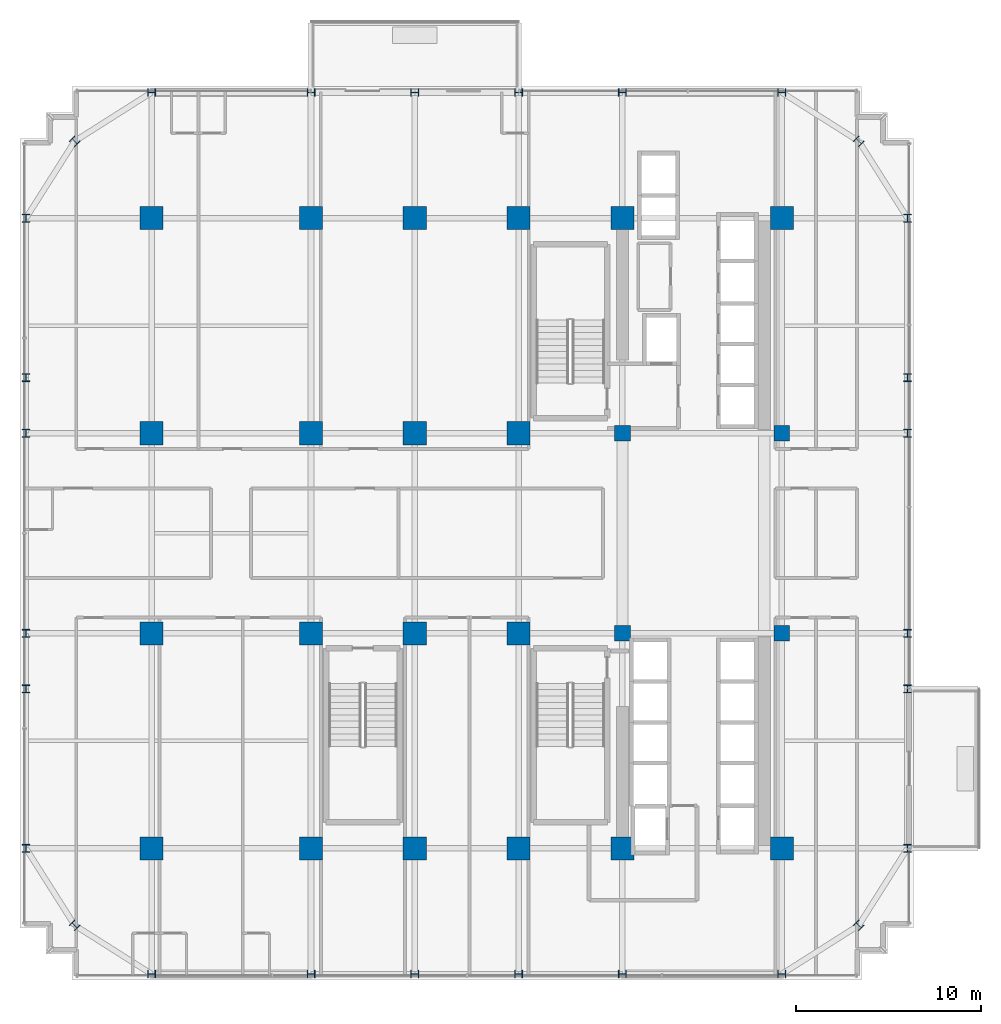
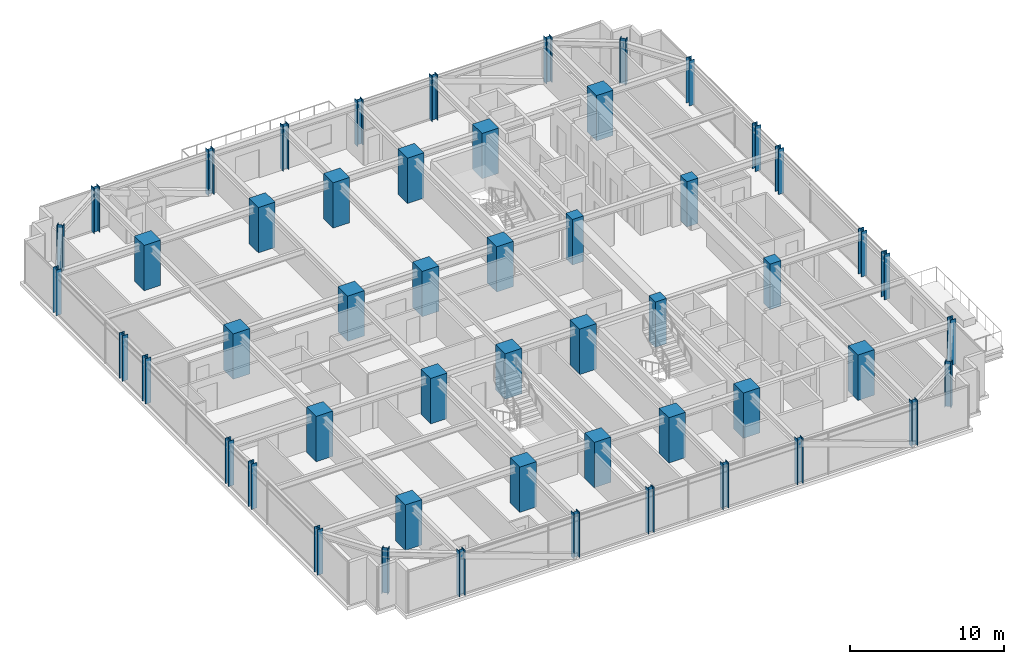
# One storey, part 1 of 41: 52 columns.
"""IFC4 building model written with IfcOpenShell, lengths in metres."""

import ifcopenshell
import ifcopenshell.guid

model = None  # the IFC model being written
_history = None  # IfcOwnerHistory: only IFC2X3 demands one
_inside = {}  # id of a spatial element -> (the spatial element, [elements in it])
_under = {}  # id of a project, library or spatial element -> (it, [spatial elements below it])
_declared = {}  # id of a project -> (the project, [libraries it declares])
_typed = {}  # id of a type object -> (the type object, [elements of that type])
_made_of = {}  # id of a material, layer set ... -> (it, [elements and type objects made of it])


def new_model(schema):
    """Start an empty IFC model of exactly this schema.

    Asked for "IFC4X3", IfcOpenShell would pick the latest addendum, in which some entities
    have other attributes; the version numbers below select the first issue.
    IFC2X3 requires an IfcOwnerHistory on every rooted entity: one is made here for all.
    """
    global model, _history
    if schema == "IFC4X3":
        model = ifcopenshell.file(schema_version=(4, 3, 0, 0))
    else:
        model = ifcopenshell.file(schema=schema)
    _inside.clear()
    _under.clear()
    _declared.clear()
    _typed.clear()
    _made_of.clear()
    _history = None
    if model.schema == "IFC2X3":
        org = make("IfcOrganization", Name="unknown")
        user = make(
            "IfcPersonAndOrganization",
            ThePerson=make("IfcPerson", FamilyName="unknown"),
            TheOrganization=org,
        )
        app = make(
            "IfcApplication",
            ApplicationDeveloper=org,
            Version="unknown",
            ApplicationFullName="unknown",
            ApplicationIdentifier="unknown",
        )
        _history = make(
            "IfcOwnerHistory",
            OwningUser=user,
            OwningApplication=app,
            ChangeAction="ADDED",
            CreationDate=0,
        )
    return model


def make(cls, **values):
    """One entity of the class cls with the attributes given. An attribute that is None is left unset."""
    return model.create_entity(
        cls, **{name: value for name, value in values.items() if value is not None}
    )


def rooted(cls, **values):
    """An entity with a GlobalId (a new one), such as an element, a storey or a relation."""
    return make(cls, GlobalId=ifcopenshell.guid.new(), OwnerHistory=_history, **values)


def si_unit(unit_type, name, prefix=None):
    """IfcSIUnit, for example si_unit("LENGTHUNIT", "METRE", prefix="MILLI")."""
    return make("IfcSIUnit", UnitType=unit_type, Prefix=prefix, Name=name)


def assignment(units):
    """IfcUnitAssignment: the units of a project."""
    return None if units is None else make("IfcUnitAssignment", Units=units)


def point(xyz):
    """IfcCartesianPoint."""
    return None if xyz is None else make("IfcCartesianPoint", Coordinates=xyz)


def direction(xyz):
    """IfcDirection."""
    return None if xyz is None else make("IfcDirection", DirectionRatios=xyz)


def frame(location, z_axis=None, x_axis=None):
    """IfcAxis2Placement3D, a coordinate frame: its origin and axes. An axis left out is left unset."""
    return make(
        "IfcAxis2Placement3D",
        Location=point(location),
        Axis=direction(z_axis),
        RefDirection=direction(x_axis),
    )


def frame_2d(location, x_axis=None):
    """IfcAxis2Placement2D, a coordinate frame in the plane: its origin and x axis."""
    return make(
        "IfcAxis2Placement2D", Location=point(location), RefDirection=direction(x_axis)
    )


def origin():
    """The frame at (0, 0, 0) with its axes left unset."""
    return frame((0.0, 0.0, 0.0))


def origin_2d():
    """The frame at (0, 0) in the plane with its x axis left unset."""
    return frame_2d((0.0, 0.0))


def place(relative_to, where):
    """IfcLocalPlacement: puts the frame where relative to a parent placement (None: the world)."""
    return make(
        "IfcLocalPlacement", PlacementRelTo=relative_to, RelativePlacement=where
    )


def context(
    kind, dimensions, precision=None, world=None, true_north=None, identifier=None
):
    """IfcGeometricRepresentationContext, for example the 3D "Model" context."""
    return make(
        "IfcGeometricRepresentationContext",
        ContextIdentifier=identifier,
        ContextType=kind,
        CoordinateSpaceDimension=dimensions,
        Precision=precision,
        WorldCoordinateSystem=world,
        TrueNorth=true_north,
    )


def subcontext(parent, identifier, kind, view, scale=None):
    """IfcGeometricRepresentationSubContext, for example "Body" below "Model"."""
    return make(
        "IfcGeometricRepresentationSubContext",
        ContextIdentifier=identifier,
        ContextType=kind,
        ParentContext=parent,
        TargetScale=scale,
        TargetView=view,
    )


def project(units=None, contexts=None):
    """IfcProject with its units and contexts."""
    return rooted(
        "IfcProject",
        Name="project",
        RepresentationContexts=contexts,
        UnitsInContext=assignment(units),
    )


def spatial(cls, under=None, at=None, **own):
    """A site, building, storey or space (cls), placed at a placement, below another one or the project."""
    s = rooted(cls, ObjectPlacement=at, **own)
    if under is not None:
        _under.setdefault(under.id(), (under, []))[1].append(s)
    return s


def profile(cls, at=None, kind="AREA", **sizes):
    """A parametric profile (cls). Its sizes go by their IFC names, for example OverallWidth=200.0."""
    return make(cls, ProfileType=kind, Position=at, **sizes)


def rectangle(**sizes):
    """IfcRectangleProfileDef."""
    return profile("IfcRectangleProfileDef", **sizes)


def i_section(**sizes):
    """IfcIShapeProfileDef."""
    return profile("IfcIShapeProfileDef", **sizes)


def extrude(swept, where, along, depth):
    """IfcExtrudedAreaSolid: the profile swept, set in the frame where, extruded along a direction by depth."""
    return make(
        "IfcExtrudedAreaSolid",
        SweptArea=swept,
        Position=where,
        ExtrudedDirection=direction(along),
        Depth=depth,
    )


def shape(context_of_items, identifier, shape_type, items):
    """IfcShapeRepresentation: the items that make up one representation, for example the "Body"."""
    return make(
        "IfcShapeRepresentation",
        ContextOfItems=context_of_items,
        RepresentationIdentifier=identifier,
        RepresentationType=shape_type,
        Items=items,
    )


def source(mapping_origin, context_of_items, identifier, shape_type, items):
    """IfcRepresentationMap: a shape defined once, which mapped items show again and again."""
    return make(
        "IfcRepresentationMap",
        MappingOrigin=mapping_origin,
        MappedRepresentation=shape(context_of_items, identifier, shape_type, items),
    )


def transform(
    local_origin,
    x_axis=None,
    y_axis=None,
    z_axis=None,
    scale=None,
    scale2=None,
    scale3=None,
    uniform=True,
):
    """IfcCartesianTransformationOperator3D, or its non-uniform kind. x_axis, y_axis, z_axis: its Axis1, 2, 3."""
    if uniform:
        return make(
            "IfcCartesianTransformationOperator3D",
            Axis1=direction(x_axis),
            Axis2=direction(y_axis),
            LocalOrigin=point(local_origin),
            Scale=scale,
            Axis3=direction(z_axis),
        )
    return make(
        "IfcCartesianTransformationOperator3DnonUniform",
        Axis1=direction(x_axis),
        Axis2=direction(y_axis),
        LocalOrigin=point(local_origin),
        Scale=scale,
        Axis3=direction(z_axis),
        Scale2=scale2,
        Scale3=scale3,
    )


def mapped(mapping_source, mapping_target):
    """IfcMappedItem: shows the shape of a source again, moved by a transform."""
    return make(
        "IfcMappedItem", MappingSource=mapping_source, MappingTarget=mapping_target
    )


def material(Name=None, Category=None):
    """IfcMaterial."""
    return make("IfcMaterial", Name=Name, Category=Category)


def material_profile(
    of_material, cross_section, Name=None, Category=None, Priority=None
):
    """IfcMaterialProfile: a cross section and its material."""
    return make(
        "IfcMaterialProfile",
        Name=Name,
        Material=of_material,
        Profile=cross_section,
        Priority=Priority,
        Category=Category,
    )


def profile_set(profiles, Name=None, composite=None):
    """IfcMaterialProfileSet."""
    return make(
        "IfcMaterialProfileSet",
        Name=Name,
        MaterialProfiles=profiles,
        CompositeProfile=composite,
    )


def made_of(thing, what):
    """Note that an element or type object is made of a material, layer set ...; save() writes the relation."""
    if what is not None:
        _made_of.setdefault(what.id(), (what, []))[1].append(thing)
    return thing


def type_object(cls, material=None, **own):
    """A type object (cls), such as IfcWallType, which elements share."""
    return made_of(rooted(cls, **own), material)


def element(
    cls,
    number,
    at=None,
    inside=None,
    cuts=None,
    type_object=None,
    material=None,
    context=None,
    identifier="Body",
    shape_type=None,
    held_by="IfcProductDefinitionShape",
    body=None,
    shapes=None,
    **own,
):
    """One element of the class cls, such as IfcWall. Its Tag is "e" and its number.

    at: its placement. inside: the storey or other place that contains it. cuts: it is an
    opening in that element (IfcRelVoidsElement). A single representation is given by context,
    identifier, shape_type and body (its items); several are given by shapes. held_by: the class
    of the entity that holds the representations. save() writes the other relations.
    """
    e = rooted(cls, Tag="e%d" % number, ObjectPlacement=at, **own)
    if body is not None:
        shapes = [shape(context, identifier, shape_type, body)]
    if shapes is not None:
        e.Representation = make(held_by, Representations=shapes)
    if inside is not None:
        _inside.setdefault(inside.id(), (inside, []))[1].append(e)
    if cuts is not None:
        rooted(
            "IfcRelVoidsElement", RelatingBuildingElement=cuts, RelatedOpeningElement=e
        )
    if type_object is not None:
        _typed.setdefault(type_object.id(), (type_object, []))[1].append(e)
    return made_of(e, material)


def aggregate(whole, parts):
    """IfcRelAggregates: a whole, such as a stair, and the parts it consists of."""
    return rooted("IfcRelAggregates", RelatingObject=whole, RelatedObjects=parts)


def save(model, path):
    """Write the relations noted so far, then the file.

    IfcRelAggregates (storeys below a building ...), IfcRelContainedInSpatialStructure (elements
    in a storey), IfcRelDefinesByType, IfcRelAssociatesMaterial and IfcRelDeclares: one each for
    every whole, place, type object, material and project.
    """
    for whole, parts in _under.values():
        aggregate(whole, parts)
    for where, things in _inside.values():
        rooted(
            "IfcRelContainedInSpatialStructure",
            RelatedElements=things,
            RelatingStructure=where,
        )
    for kind, things in _typed.values():
        rooted("IfcRelDefinesByType", RelatedObjects=things, RelatingType=kind)
    for what, things in _made_of.values():
        rooted("IfcRelAssociatesMaterial", RelatedObjects=things, RelatingMaterial=what)
    for by, libraries in _declared.values():
        rooted("IfcRelDeclares", RelatingContext=by, RelatedDefinitions=libraries)
    model.write(path)


model = new_model("IFC4")

# Units and contexts
model_context = context("Model", 3, precision=1e-05, world=origin(), true_north=direction((0.0, 1.0)))
body_context = subcontext(model_context, "Body", "Model", "MODEL_VIEW")
ifc_project = project(units=[si_unit("LENGTHUNIT", "METRE"), si_unit("AREAUNIT", "SQUARE_METRE"), si_unit("VOLUMEUNIT", "CUBIC_METRE"), si_unit("PLANEANGLEUNIT", "RADIAN"), si_unit("MASSUNIT", "GRAM", prefix="KILO")], contexts=[model_context])

# Site, building, storey
site_placement = place(None, origin())
site = spatial("IfcSite", under=ifc_project, at=site_placement, CompositionType="ELEMENT")
building_placement = place(site_placement, origin())
building = spatial("IfcBuilding", under=site, at=building_placement, Name="Nahalor Promenade Grand Hotel", CompositionType="ELEMENT")
storey_placement = place(building_placement, frame((0.0, 0.0, 113.85009765625)))
storey = spatial("IfcBuildingStorey", under=building, at=storey_placement, Name="L28", CompositionType="ELEMENT", Elevation=113.85009765625)

# Columns
ifc_material_1 = material(Name="Concrete B-70 (C60/75)", Category="concrete")
ifc_material_profile_1 = material_profile(ifc_material_1, rectangle(XDim=0.85, YDim=0.85, at=origin_2d()), Name="RC 850x850")
ifc_profile_set_1 = profile_set([ifc_material_profile_1], Name="Concrete B-70 (C60/75)")
column_type_1 = type_object("IfcColumnType", Name="Col-Pilaster-850", PredefinedType="PILASTER", material=ifc_profile_set_1)
shared_shape_1 = source(origin(), body_context, "Body", "SweptSolid", [
    extrude(rectangle(XDim=0.85, YDim=0.85, at=origin_2d()), origin(), (0.0, 0.0, 1.0), 3.60498046875),
])
for number, where, z_axis, x_axis, name in (
    (1, (8.39990234375, -5.39990234375, 0.0), (0.0, 0.0, 1.0), (1.0, 0.0, 0.0), "COL-L28-I41"),
    (2, (8.39990234375, 5.39990234375, 0.0), (0.0, 0.0, 1.0), (1.0, 0.0, 0.0), "COL-L28-I42"),
    (3, (17.0, -5.39990234375, 0.0), (0.0, 0.0, 1.0), (1.0, 0.0, 0.0), "COL-L28-I51"),
    (4, (17.0, 5.39990234375, 0.0), (0.0, 0.0, 1.0), (1.0, 0.0, 0.0), "COL-L28-I52"),
):
    element("IfcColumn", number, at=place(storey_placement, frame(where, z_axis=z_axis, x_axis=x_axis)), inside=storey, type_object=column_type_1, Name=name, PredefinedType="PILASTER", context=body_context, shape_type="MappedRepresentation", body=[
        mapped(shared_shape_1, transform((0.0, 0.0, 0.0), scale=1.0)),
    ])
ifc_material_2 = material(Name="Concrete B-60 (C50/60)", Category="concrete")
ifc_material_profile_2 = material_profile(ifc_material_2, rectangle(XDim=1.25, YDim=1.25, at=origin_2d()), Name="RC 1250x1250")
ifc_profile_set_2 = profile_set([ifc_material_profile_2], Name="Concrete B-60 (C50/60)")
column_type_2 = type_object("IfcColumnType", Name="Col-RC-1250", PredefinedType="COLUMN", material=ifc_profile_set_2)
shared_shape_2 = source(origin(), body_context, "Body", "SweptSolid", [
    extrude(rectangle(XDim=1.25, YDim=1.25, at=origin_2d()), origin(), (0.0, 0.0, 1.0), 3.60498046875),
])
for number, where, z_axis, x_axis, name in (
    (5, (-17.0, -17.0, 0.0), (0.0, 0.0, 1.0), (1.0, 0.0, 0.0), "COL-L28-I00"),
    (6, (-17.0, -5.39990234375, 0.0), (0.0, 0.0, 1.0), (1.0, 0.0, 0.0), "COL-L28-I01"),
    (7, (-17.0, 5.39990234375, 0.0), (0.0, 0.0, 1.0), (1.0, 0.0, 0.0), "COL-L28-I02"),
    (8, (-17.0, 17.0, 0.0), (0.0, 0.0, 1.0), (1.0, 0.0, 0.0), "COL-L28-I03"),
    (9, (-8.39990234375, -17.0, 0.0), (0.0, 0.0, 1.0), (1.0, 0.0, 0.0), "COL-L28-I10"),
    (10, (-8.39990234375, -5.39990234375, 0.0), (0.0, 0.0, 1.0), (1.0, 0.0, 0.0), "COL-L28-I11"),
    (11, (-8.39990234375, 5.39990234375, 0.0), (0.0, 0.0, 1.0), (1.0, 0.0, 0.0), "COL-L28-I12"),
    (12, (-8.39990234375, 17.0, 0.0), (0.0, 0.0, 1.0), (1.0, 0.0, 0.0), "COL-L28-I13"),
    (13, (-2.800048828125, -17.0, 0.0), (0.0, 0.0, 1.0), (1.0, 0.0, 0.0), "COL-L28-I20"),
    (14, (-2.800048828125, -5.39990234375, 0.0), (0.0, 0.0, 1.0), (1.0, 0.0, 0.0), "COL-L28-I21"),
    (15, (-2.800048828125, 5.39990234375, 0.0), (0.0, 0.0, 1.0), (1.0, 0.0, 0.0), "COL-L28-I22"),
    (16, (-2.800048828125, 17.0, 0.0), (0.0, 0.0, 1.0), (1.0, 0.0, 0.0), "COL-L28-I23"),
    (17, (2.800048828125, -17.0, 0.0), (0.0, 0.0, 1.0), (1.0, 0.0, 0.0), "COL-L28-I30"),
    (18, (2.800048828125, -5.39990234375, 0.0), (0.0, 0.0, 1.0), (1.0, 0.0, 0.0), "COL-L28-I31"),
    (19, (2.800048828125, 5.39990234375, 0.0), (0.0, 0.0, 1.0), (1.0, 0.0, 0.0), "COL-L28-I32"),
    (20, (2.800048828125, 17.0, 0.0), (0.0, 0.0, 1.0), (1.0, 0.0, 0.0), "COL-L28-I33"),
    (21, (8.39990234375, -17.0, 0.0), (0.0, 0.0, 1.0), (1.0, 0.0, 0.0), "COL-L28-I40"),
    (22, (8.39990234375, 17.0, 0.0), (0.0, 0.0, 1.0), (1.0, 0.0, 0.0), "COL-L28-I43"),
    (23, (17.0, -17.0, 0.0), (0.0, 0.0, 1.0), (1.0, 0.0, 0.0), "COL-L28-I50"),
    (24, (17.0, 17.0, 0.0), (0.0, 0.0, 1.0), (1.0, 0.0, 0.0), "COL-L28-I53"),
):
    element("IfcColumn", number, at=place(storey_placement, frame(where, z_axis=z_axis, x_axis=x_axis)), inside=storey, type_object=column_type_2, Name=name, PredefinedType="COLUMN", context=body_context, shape_type="MappedRepresentation", body=[
        mapped(shared_shape_2, transform((0.0, 0.0, 0.0), scale=1.0)),
    ])
ifc_material_3 = material(Name="Steel S355J2", Category="steel")
ifc_material_profile_3 = material_profile(ifc_material_3, i_section(OverallWidth=0.409, OverallDepth=0.43, WebThickness=0.0208, FlangeThickness=0.0335, at=origin_2d()), Name="HD 400x421")
ifc_profile_set_3 = profile_set([ifc_material_profile_3], Name="Steel S355J2")
column_type_3 = type_object("IfcColumnType", Name="Col-Steel-HD421", PredefinedType="COLUMN", material=ifc_profile_set_3)
shared_shape_3 = source(origin(), body_context, "Body", "SweptSolid", [
    extrude(i_section(OverallWidth=0.409, OverallDepth=0.43, WebThickness=0.0208, FlangeThickness=0.0335, at=origin_2d()), origin(), (0.0, 0.0, 1.0), 3.60498046875),
])
for number, where, z_axis, x_axis, name in (
    (25, (-23.780029296875, -17.0, 0.0), (0.0, 0.0, 1.0), (1.0, 0.0, 0.0), "COL-L28-PW-W0"),
    (26, (23.780029296875, -17.0, 0.0), (0.0, 0.0, 1.0), (1.0, 0.0, 0.0), "COL-L28-PW-E0"),
    (27, (-23.780029296875, -8.39990234375, 0.0), (0.0, 0.0, 1.0), (1.0, 0.0, 0.0), "COL-L28-PW-W1"),
    (28, (23.780029296875, -8.39990234375, 0.0), (0.0, 0.0, 1.0), (1.0, 0.0, 0.0), "COL-L28-PW-E1"),
    (29, (-23.780029296875, -5.39990234375, 0.0), (0.0, 0.0, 1.0), (1.0, 0.0, 0.0), "COL-L28-PW-W2"),
    (30, (23.780029296875, -5.39990234375, 0.0), (0.0, 0.0, 1.0), (1.0, 0.0, 0.0), "COL-L28-PW-E2"),
    (31, (-23.780029296875, 5.39990234375, 0.0), (0.0, 0.0, 1.0), (1.0, 0.0, 0.0), "COL-L28-PW-W3"),
    (32, (23.780029296875, 5.39990234375, 0.0), (0.0, 0.0, 1.0), (1.0, 0.0, 0.0), "COL-L28-PW-E3"),
    (33, (-23.780029296875, 8.39990234375, 0.0), (0.0, 0.0, 1.0), (1.0, 0.0, 0.0), "COL-L28-PW-W4"),
    (34, (23.780029296875, 8.39990234375, 0.0), (0.0, 0.0, 1.0), (1.0, 0.0, 0.0), "COL-L28-PW-E4"),
    (35, (-23.780029296875, 17.0, 0.0), (0.0, 0.0, 1.0), (1.0, 0.0, 0.0), "COL-L28-PW-W5"),
    (36, (23.780029296875, 17.0, 0.0), (0.0, 0.0, 1.0), (1.0, 0.0, 0.0), "COL-L28-PW-E5"),
    (37, (-17.0, -23.780029296875, 0.0), (0.0, 0.0, 1.0), (0.0, 1.0, 0.0), "COL-L28-PN-S0"),
    (38, (-17.0, 23.780029296875, 0.0), (0.0, 0.0, 1.0), (0.0, 1.0, 0.0), "COL-L28-PN-N0"),
    (39, (-8.39990234375, -23.780029296875, 0.0), (0.0, 0.0, 1.0), (0.0, 1.0, 0.0), "COL-L28-PN-S1"),
    (40, (-8.39990234375, 23.780029296875, 0.0), (0.0, 0.0, 1.0), (0.0, 1.0, 0.0), "COL-L28-PN-N1"),
    (41, (-2.800048828125, -23.780029296875, 0.0), (0.0, 0.0, 1.0), (0.0, 1.0, 0.0), "COL-L28-PN-S2"),
    (42, (-2.800048828125, 23.780029296875, 0.0), (0.0, 0.0, 1.0), (0.0, 1.0, 0.0), "COL-L28-PN-N2"),
    (43, (2.800048828125, -23.780029296875, 0.0), (0.0, 0.0, 1.0), (0.0, 1.0, 0.0), "COL-L28-PN-S3"),
    (44, (2.800048828125, 23.780029296875, 0.0), (0.0, 0.0, 1.0), (0.0, 1.0, 0.0), "COL-L28-PN-N3"),
    (45, (8.39990234375, -23.780029296875, 0.0), (0.0, 0.0, 1.0), (0.0, 1.0, 0.0), "COL-L28-PN-S4"),
    (46, (8.39990234375, 23.780029296875, 0.0), (0.0, 0.0, 1.0), (0.0, 1.0, 0.0), "COL-L28-PN-N4"),
    (47, (17.0, -23.780029296875, 0.0), (0.0, 0.0, 1.0), (0.0, 1.0, 0.0), "COL-L28-PN-S5"),
    (48, (17.0, 23.780029296875, 0.0), (0.0, 0.0, 1.0), (0.0, 1.0, 0.0), "COL-L28-PN-N5"),
    (49, (-21.14990234375, -21.14990234375, 0.0), (0.0, 0.0, 1.0), (0.707106781187, 0.707106781187, 0.0), "COL-L28-CRN-SW"),
    (50, (-21.14990234375, 21.14990234375, 0.0), (0.0, 0.0, 1.0), (0.707106781187, 0.707106781187, 0.0), "COL-L28-CRN-NW"),
    (51, (21.14990234375, -21.14990234375, 0.0), (0.0, 0.0, 1.0), (0.707106781187, 0.707106781187, 0.0), "COL-L28-CRN-SE"),
    (52, (21.14990234375, 21.14990234375, 0.0), (0.0, 0.0, 1.0), (0.707106781187, 0.707106781187, 0.0), "COL-L28-CRN-NE"),
):
    element("IfcColumn", number, at=place(storey_placement, frame(where, z_axis=z_axis, x_axis=x_axis)), inside=storey, type_object=column_type_3, Name=name, PredefinedType="COLUMN", context=body_context, shape_type="MappedRepresentation", body=[
        mapped(shared_shape_3, transform((0.0, 0.0, 0.0), scale=1.0)),
    ])

save(model, "model.ifc")
